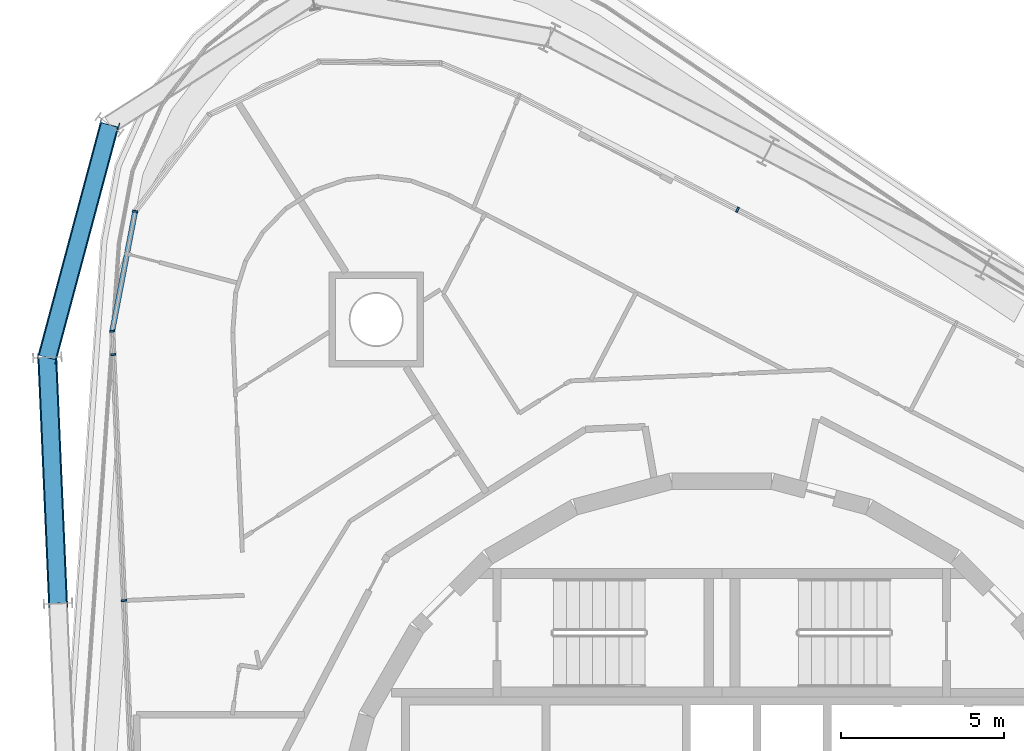
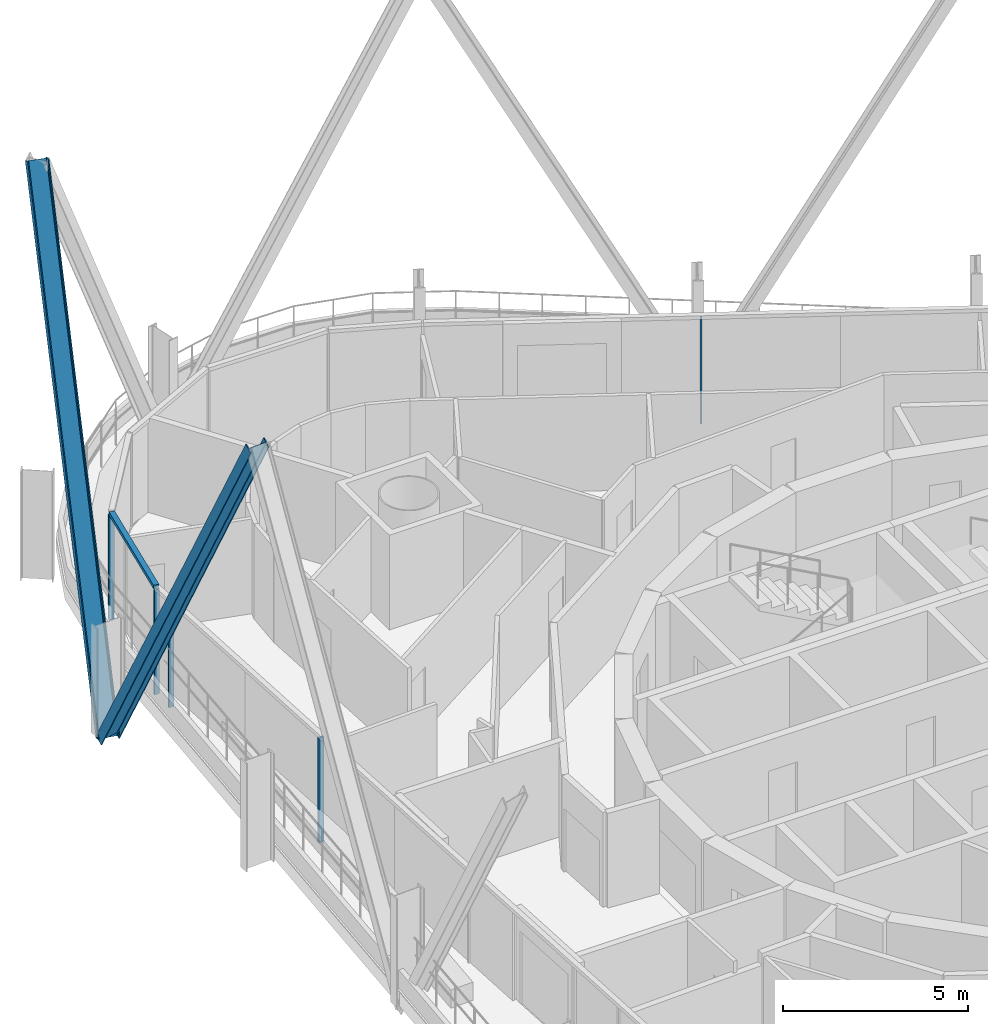
# One storey, part 6 of 20: 8 members, 3 elements without a shape of their own.
"""IFC4 building model written with IfcOpenShell, lengths in metres."""

from ifc_helpers import new_model, si_unit, direction, frame, origin, origin_2d, place, context, subcontext, project, spatial, rectangle, i_section, extrude, material, layer, layer_set, material_profile, profile_set, type_object, element, aggregate, save


model = new_model("IFC4")

# Units and contexts
model_context = context("Model", 3, precision=1e-05, world=origin(), true_north=direction((0.0, 1.0)))
body_context = subcontext(model_context, "Body", "Model", "MODEL_VIEW")
ifc_project = project(units=[si_unit("LENGTHUNIT", "METRE"), si_unit("AREAUNIT", "SQUARE_METRE"), si_unit("VOLUMEUNIT", "CUBIC_METRE"), si_unit("PLANEANGLEUNIT", "RADIAN"), si_unit("MASSUNIT", "GRAM", prefix="KILO")], contexts=[model_context])

# Site, building, storey
site_placement = place(None, origin())
site = spatial("IfcSite", under=ifc_project, at=site_placement, CompositionType="ELEMENT")
building_placement = place(site_placement, origin())
building = spatial("IfcBuilding", under=site, at=building_placement, Name="Spindle Arch Residences", CompositionType="ELEMENT")
storey_placement = place(building_placement, frame((0.0, 0.0, 226.699951171875)))
storey = spatial("IfcBuildingStorey", under=building, at=storey_placement, Name="L57", CompositionType="ELEMENT", Elevation=226.699951171875)

# Curtain wall, member
ifc_material_1 = material(Name="Aluminium bronze unitised frame with tinted glass", Category="aluminium")
ifc_layer_1 = layer(ifc_material_1, 0.159912109375)
ifc_layer_set_1 = layer_set([ifc_layer_1], Name="CW-C typical residential unitised wall")
curtain_wall_type_1 = type_object("IfcCurtainWallType", Name="CW-C typical residential unitised wall", PredefinedType="NOTDEFINED", material=ifc_layer_set_1)
curtain_wall_1_placement = place(storey_placement, origin())
curtain_wall_1 = element("IfcCurtainWall", 1, at=curtain_wall_1_placement, inside=storey, type_object=curtain_wall_type_1, Name="CW-C L57 run 2", PredefinedType="NOTDEFINED")
ifc_material_2 = material(Name="Aluminium bronze anodised mullion", Category="aluminium")
ifc_material_profile_1 = material_profile(ifc_material_2, rectangle(XDim=0.159912109375, YDim=0.06005859375, at=origin_2d()), Name="MU 60x160")
ifc_profile_set_1 = profile_set([ifc_material_profile_1], Name="Aluminium bronze anodised mullion")
member_type_1 = type_object("IfcMemberType", Name="Bronze mullion 60x160", PredefinedType="MULLION", material=ifc_profile_set_1)
member_1_placement = place(storey_placement, frame((0.4794921875, 19.94677734375, -0.449951171875), z_axis=(0.0, 0.0, 1.0), x_axis=(-0.461748613235, -0.887010833178, 0.0)))
member_1 = element("IfcMember", 2, at=member_1_placement, type_object=member_type_1, Name="CW-C mullion 08", PredefinedType="MULLION", context=body_context, shape_type="SweptSolid", body=[
    extrude(rectangle(XDim=0.159912109375, YDim=0.06005859375, at=origin_2d()), origin(), (0.0, 0.0, 1.0), 3.449951171875),
])
aggregate(curtain_wall_1, [member_1])

# Curtain wall, members
ifc_material_3 = material(Name="Aluminium bronze unitised frame with tinted glass", Category="aluminium")
ifc_layer_2 = layer(ifc_material_3, 0.159912109375)
ifc_layer_set_2 = layer_set([ifc_layer_2], Name="CW-D corner wall on the fillet arcs")
curtain_wall_type_2 = type_object("IfcCurtainWallType", Name="CW-D corner wall on the fillet arcs", PredefinedType="NOTDEFINED", material=ifc_layer_set_2)
curtain_wall_2_placement = place(storey_placement, origin())
curtain_wall_2 = element("IfcCurtainWall", 3, at=curtain_wall_2_placement, inside=storey, type_object=curtain_wall_type_2, Name="CW-D L57 run 3", PredefinedType="NOTDEFINED")
member_2_placement = place(storey_placement, frame((-17.93994140625, 19.896240234375, -0.449951171875), z_axis=(0.0, 0.0, 1.0), x_axis=(0.982178070104, -0.187952756314, 0.0)))
member_2 = element("IfcMember", 4, at=member_2_placement, type_object=member_type_1, Name="CW-D mullion 04", PredefinedType="MULLION", context=body_context, shape_type="SweptSolid", body=[
    extrude(rectangle(XDim=0.159912109375, YDim=0.06005859375, at=origin_2d()), origin(), (0.0, 0.0, 1.0), 3.449951171875),
])
member_3_placement = place(storey_placement, frame((-18.640380859375, 16.236083984375, -0.449951171875), z_axis=(0.0, 0.0, 1.0), x_axis=(0.999048221582, 0.043619387365, 0.0)))
member_3 = element("IfcMember", 5, at=member_3_placement, type_object=member_type_1, Name="CW-D mullion 05", PredefinedType="MULLION", context=body_context, shape_type="SweptSolid", body=[
    extrude(rectangle(XDim=0.159912109375, YDim=0.06005859375, at=origin_2d()), origin(), (0.0, 0.0, 1.0), 3.449951171875),
])

curtain_wall_3_placement = place(storey_placement, origin())
curtain_wall_3 = element("IfcCurtainWall", 6, at=curtain_wall_3_placement, inside=storey, type_object=curtain_wall_type_1, Name="CW-C L57 run 4", PredefinedType="NOTDEFINED")
member_4_placement = place(storey_placement, frame((-18.60888671875, 15.518310546875, -0.449951171875), z_axis=(0.0, 0.0, 1.0), x_axis=(0.999048221582, 0.043619387365, 0.0)))
member_4 = element("IfcMember", 7, at=member_4_placement, type_object=member_type_1, Name="CW-C mullion 12", PredefinedType="MULLION", context=body_context, shape_type="SweptSolid", body=[
    extrude(rectangle(XDim=0.159912109375, YDim=0.06005859375, at=origin_2d()), origin(), (0.0, 0.0, 1.0), 3.449951171875),
])
member_5_placement = place(storey_placement, frame((-18.280517578125, 7.995361328125, -0.449951171875), z_axis=(0.0, 0.0, 1.0), x_axis=(0.999048221582, 0.043619387365, 0.0)))
member_5 = element("IfcMember", 8, at=member_5_placement, type_object=member_type_1, Name="CW-C mullion 13", PredefinedType="MULLION", context=body_context, shape_type="SweptSolid", body=[
    extrude(rectangle(XDim=0.159912109375, YDim=0.06005859375, at=origin_2d()), origin(), (0.0, 0.0, 1.0), 3.449951171875),
])
aggregate(curtain_wall_3, [member_4, member_5])

# Member
ifc_material_4 = material(Name="Aluminium bronze anodised transom", Category="aluminium")
ifc_material_profile_2 = material_profile(ifc_material_4, rectangle(XDim=0.159912109375, YDim=0.1201171875, at=origin_2d()), Name="TR 120x160")
ifc_profile_set_2 = profile_set([ifc_material_profile_2], Name="Aluminium bronze anodised transom")
member_type_2 = type_object("IfcMemberType", Name="Bronze transom 120x160", PredefinedType="USERDEFINED", material=ifc_profile_set_2)
member_6_placement = place(storey_placement, frame((-17.945556640625, 19.866943359375, 3.06005859375), z_axis=(-0.187953386096, -0.982177949587, 0.0), x_axis=(0.982177949587, -0.187953386096, 0.0)))
member_6 = element("IfcMember", 9, at=member_6_placement, type_object=member_type_2, Name="CW-D transom 04", ObjectType="TRANSOM", PredefinedType="USERDEFINED", context=body_context, shape_type="SweptSolid", body=[
    extrude(rectangle(XDim=0.159912109375, YDim=0.1201171875, at=origin_2d()), origin(), (0.0, 0.0, 1.0), 3.6669921875),
])

aggregate(curtain_wall_2, [member_2, member_6, member_3])

# Members
ifc_material_5 = material(Name="Steel S460ML, intumescent coating R 240", Category="steel")
ifc_material_profile_3 = material_profile(ifc_material_5, i_section(OverallWidth=0.300048828125, OverallDepth=0.60009765625, WebThickness=0.015380859375, FlangeThickness=0.030029296875, FilletRadius=0.027099609375, at=origin_2d()), Name="HEB 600")
ifc_profile_set_3 = profile_set([ifc_material_profile_3], Name="Steel S460ML, intumescent coating R 240")
member_type_3 = type_object("IfcMemberType", Name="Diagrid diagonal HEB 600", PredefinedType="BRACE", material=ifc_profile_set_3)
member_7_placement = place(storey_placement, frame((-20.626953125, 15.43017578125, -0.699951171875), z_axis=(0.119801923816, 0.448015843162, 0.885962359994), x_axis=(-0.228869774922, -0.855890138658, 0.463757152694)))
element("IfcMember", 10, at=member_7_placement, inside=storey, type_object=member_type_3, Name="Diagrid diagonal 6.1.12", PredefinedType="BRACE", context=body_context, shape_type="SweptSolid", body=[
    extrude(i_section(OverallWidth=0.300048828125, OverallDepth=0.60009765625, WebThickness=0.015380859375, FlangeThickness=0.030029296875, FilletRadius=0.027099609375, at=origin_2d()), origin(), (0.0, 0.0, 1.0), 15.881103515625),
])
member_8_placement = place(storey_placement, frame((-20.626953125, 15.43017578125, -0.699951171875), z_axis=(0.020576615444, -0.471411024751, 0.881673549926), x_axis=(-0.038447552227, 0.880834850791, 0.471859885305)))
element("IfcMember", 11, at=member_8_placement, inside=storey, type_object=member_type_3, Name="Diagrid diagonal 6.1.13", PredefinedType="BRACE", context=body_context, shape_type="SweptSolid", body=[
    extrude(i_section(OverallWidth=0.300048828125, OverallDepth=0.60009765625, WebThickness=0.015380859375, FlangeThickness=0.030029296875, FilletRadius=0.027099609375, at=origin_2d()), origin(), (0.0, 0.0, 1.0), 15.958251953125),
])

save(model, "model.ifc")
